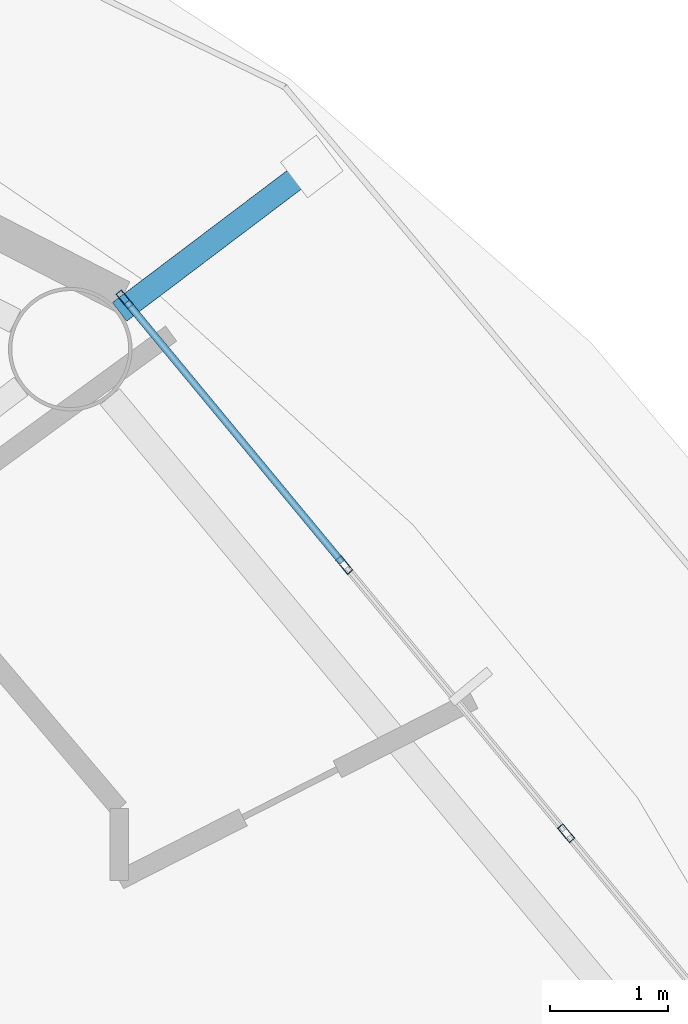
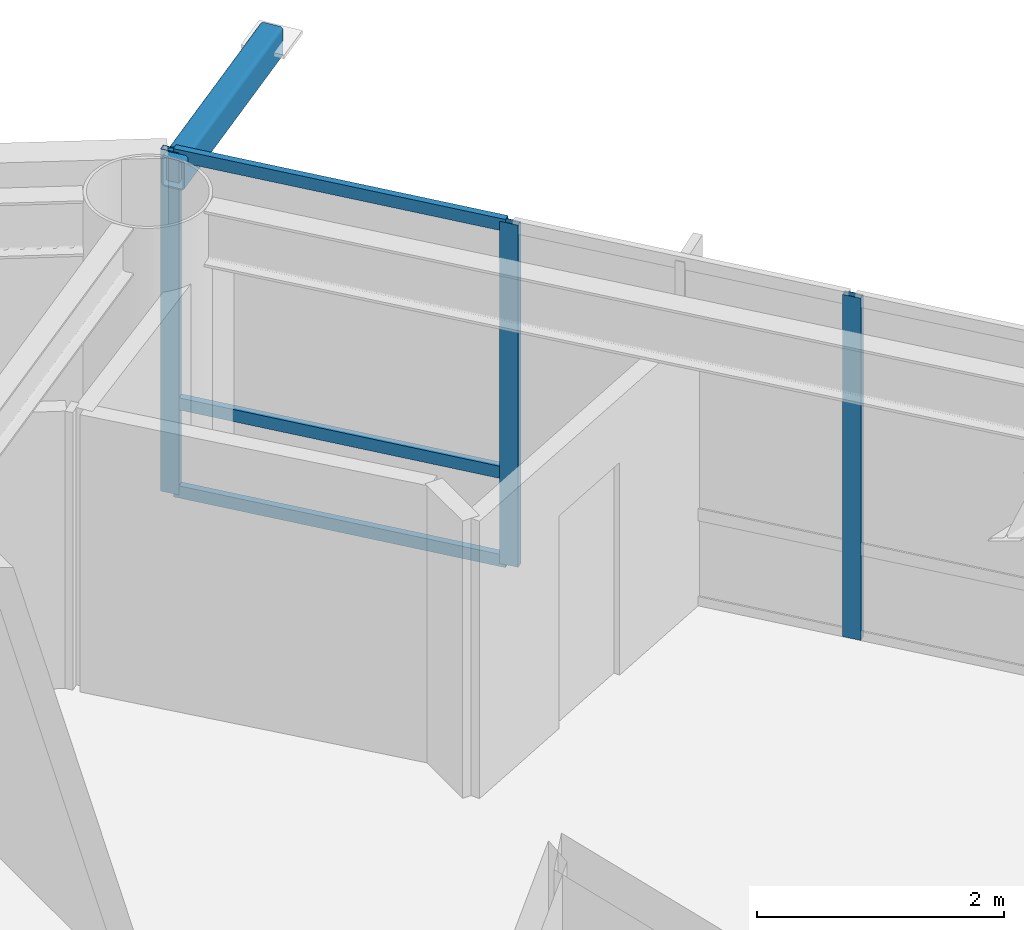
# One storey, part 15 of 29: 7 members, 1 element without a shape of its own.
"""IFC4 building model written with IfcOpenShell, lengths in metres."""

from ifc_helpers import new_model, si_unit, direction, frame, origin, origin_2d, place, context, subcontext, project, spatial, hollow_rectangle, extrude, material, layer, layer_set, material_profile, profile_set, type_object, element, aggregate, save


model = new_model("IFC4")

# Units and contexts
model_context = context("Model", 3, precision=1e-05, world=origin(), true_north=direction((0.0, 1.0)))
body_context = subcontext(model_context, "Body", "Model", "MODEL_VIEW")
ifc_project = project(units=[si_unit("LENGTHUNIT", "METRE"), si_unit("AREAUNIT", "SQUARE_METRE"), si_unit("VOLUMEUNIT", "CUBIC_METRE"), si_unit("PLANEANGLEUNIT", "RADIAN"), si_unit("MASSUNIT", "GRAM", prefix="KILO")], contexts=[model_context])

# Site, building, storey
site_placement = place(None, origin())
site = spatial("IfcSite", under=ifc_project, at=site_placement, CompositionType="ELEMENT")
building_placement = place(site_placement, origin())
building = spatial("IfcBuilding", under=site, at=building_placement, Name="Sarneth Arch Tower", CompositionType="ELEMENT")
storey_placement = place(building_placement, frame((0.0, 0.0, 165.0)))
storey = spatial("IfcBuildingStorey", under=building, at=storey_placement, Name="L41", CompositionType="ELEMENT", Elevation=165.0)

# Curtain wall, members
ifc_material_1 = material(Name="Anodised aluminium Type AA25 and solar-control low-e laminated IGU", Category="aluminium")
ifc_layer = layer(ifc_material_1, 0.169921875)
ifc_layer_set = layer_set([ifc_layer], Name="Anodised aluminium Type AA25 and solar-control low-e laminated IGU")
curtain_wall_type = type_object("IfcCurtainWallType", Name="CW-RES-MID", PredefinedType="NOTDEFINED", material=ifc_layer_set)
curtain_wall_placement = place(storey_placement, origin())
curtain_wall = element("IfcCurtainWall", 1, at=curtain_wall_placement, inside=storey, type_object=curtain_wall_type, Name="L41 Unitised curtain wall facet 02", PredefinedType="NOTDEFINED")
ifc_material_2 = material(Name="Anodised Aluminium 6063-T6", Category="aluminium")
ifc_material_profile_1 = material_profile(ifc_material_2, hollow_rectangle(XDim=0.06005859375, YDim=0.159912109375, WallThickness=0.00390625, at=origin_2d()), Name="AL-MULL-160x60x4")
ifc_profile_set_1 = profile_set([ifc_material_profile_1], Name="Anodised Aluminium 6063-T6")
member_type_1 = type_object("IfcMemberType", Name="CW-MULLION", PredefinedType="MULLION", material=ifc_profile_set_1)
member_1_placement = place(storey_placement, frame((71.346923828125, 52.3466796875, 0.0), z_axis=(0.0, 0.0, 1.0), x_axis=(-0.770590741276, -0.637330298558, 0.0)))
member_1 = element("IfcMember", 2, at=member_1_placement, type_object=member_type_1, Name="CW-SYS-5 mullion 2", PredefinedType="MULLION", context=body_context, shape_type="SweptSolid", body=[
    extrude(hollow_rectangle(XDim=0.06005859375, YDim=0.159912109375, WallThickness=0.00390625, at=origin_2d()), origin(), (0.0, 0.0, 1.0), 3.3798828125),
])
member_2_placement = place(storey_placement, frame((69.46142578125, 54.626220703125, 0.0), z_axis=(0.0, 0.0, 1.0), x_axis=(-0.770590741276, -0.637330298558, 0.0)))
member_2 = element("IfcMember", 3, at=member_2_placement, type_object=member_type_1, Name="CW-SYS-5 mullion 3", PredefinedType="MULLION", context=body_context, shape_type="SweptSolid", body=[
    extrude(hollow_rectangle(XDim=0.06005859375, YDim=0.159912109375, WallThickness=0.00390625, at=origin_2d()), origin(), (0.0, 0.0, 1.0), 3.3798828125),
])
member_3_placement = place(storey_placement, frame((67.59521484375, 56.8828125, 0.0), z_axis=(0.0, 0.0, 1.0), x_axis=(-0.770590741276, -0.637330298558, 0.0)))
member_3 = element("IfcMember", 4, at=member_3_placement, type_object=member_type_1, Name="CW-SYS-5 mullion 4", PredefinedType="MULLION", context=body_context, shape_type="SweptSolid", body=[
    extrude(hollow_rectangle(XDim=0.06005859375, YDim=0.159912109375, WallThickness=0.00390625, at=origin_2d()), origin(), (0.0, 0.0, 1.0), 3.3798828125),
])
ifc_material_3 = material(Name="Anodised Aluminium 6063-T6", Category="aluminium")
ifc_material_profile_2 = material_profile(ifc_material_3, hollow_rectangle(XDim=0.06005859375, YDim=0.1201171875, WallThickness=0.00390625, at=origin_2d()), Name="AL-TRAN-120x60x4")
ifc_profile_set_2 = profile_set([ifc_material_profile_2], Name="Anodised Aluminium 6063-T6")
member_type_2 = type_object("IfcMemberType", Name="CW-TRANSOM", PredefinedType="USERDEFINED", material=ifc_profile_set_2)
member_4_placement = place(storey_placement, frame((69.4423828125, 54.6494140625, 0.030029296875), z_axis=(-0.637358651504, 0.770567290607, 0.0), x_axis=(-0.770567290607, -0.637358651504, 0.0)))
member_4 = element("IfcMember", 5, at=member_4_placement, type_object=member_type_2, Name="CW-SYS-5 transom 3.1", ObjectType="TRANSOM", PredefinedType="USERDEFINED", context=body_context, shape_type="SweptSolid", body=[
    extrude(hollow_rectangle(XDim=0.06005859375, YDim=0.1201171875, WallThickness=0.00390625, at=origin_2d()), origin(), (0.0, 0.0, 1.0), 2.8681640625),
])
member_5_placement = place(storey_placement, frame((69.4423828125, 54.6494140625, 0.89990234375), z_axis=(-0.637358651504, 0.770567290607, 0.0), x_axis=(-0.770567290607, -0.637358651504, 0.0)))
member_5 = element("IfcMember", 6, at=member_5_placement, type_object=member_type_2, Name="CW-SYS-5 transom 3.2", ObjectType="TRANSOM", PredefinedType="USERDEFINED", context=body_context, shape_type="SweptSolid", body=[
    extrude(hollow_rectangle(XDim=0.06005859375, YDim=0.1201171875, WallThickness=0.00390625, at=origin_2d()), origin(), (0.0, 0.0, 1.0), 2.8681640625),
])
member_6_placement = place(storey_placement, frame((69.4423828125, 54.6494140625, 3.35009765625), z_axis=(-0.637358651504, 0.770567290607, 0.0), x_axis=(-0.770567290607, -0.637358651504, 0.0)))
member_6 = element("IfcMember", 7, at=member_6_placement, type_object=member_type_2, Name="CW-SYS-5 transom 3.3", ObjectType="TRANSOM", PredefinedType="USERDEFINED", context=body_context, shape_type="SweptSolid", body=[
    extrude(hollow_rectangle(XDim=0.06005859375, YDim=0.1201171875, WallThickness=0.00390625, at=origin_2d()), origin(), (0.0, 0.0, 1.0), 2.8681640625),
])
aggregate(curtain_wall, [member_1, member_2, member_3, member_4, member_5, member_6])

# Member
ifc_material_4 = material(Name="Steel S355", Category="steel")
ifc_material_profile_3 = material_profile(ifc_material_4, hollow_rectangle(XDim=0.199951171875, YDim=0.300048828125, WallThickness=0.012451171875, InnerFilletRadius=0.018798828125, OuterFilletRadius=0.03125, at=origin_2d()), Name="RHS300x200x12.5")
ifc_profile_set_3 = profile_set([ifc_material_profile_3], Name="Steel S355")
member_type_3 = type_object("IfcMemberType", Name="MEM-CANT-STRUT", PredefinedType="STRUT", material=ifc_profile_set_3)
member_7_placement = place(storey_placement, frame((67.552734375, 56.77685546875, 3.219970703125), z_axis=(0.797776832561, 0.602952838479, 0.0), x_axis=(-0.602952838479, 0.797776832561, 0.0)))
element("IfcMember", 8, at=member_7_placement, inside=storey, type_object=member_type_3, Name="L41 Balcony cantilever bracket 03", PredefinedType="STRUT", context=body_context, shape_type="SweptSolid", body=[
    extrude(hollow_rectangle(XDim=0.199951171875, YDim=0.300048828125, WallThickness=0.012451171875, InnerFilletRadius=0.018798828125, OuterFilletRadius=0.03125, at=origin_2d()), origin(), (0.0, 0.0, 1.0), 2.047607421875),
])

save(model, "model.ifc")
